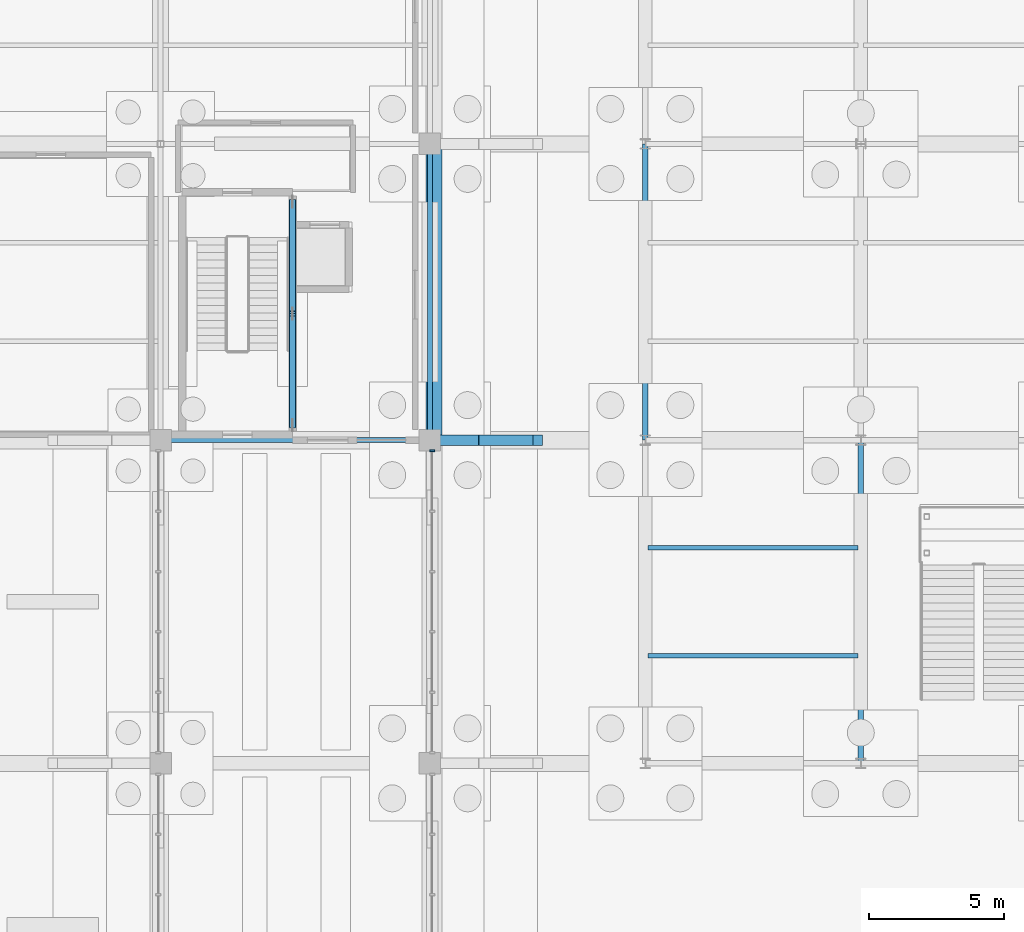
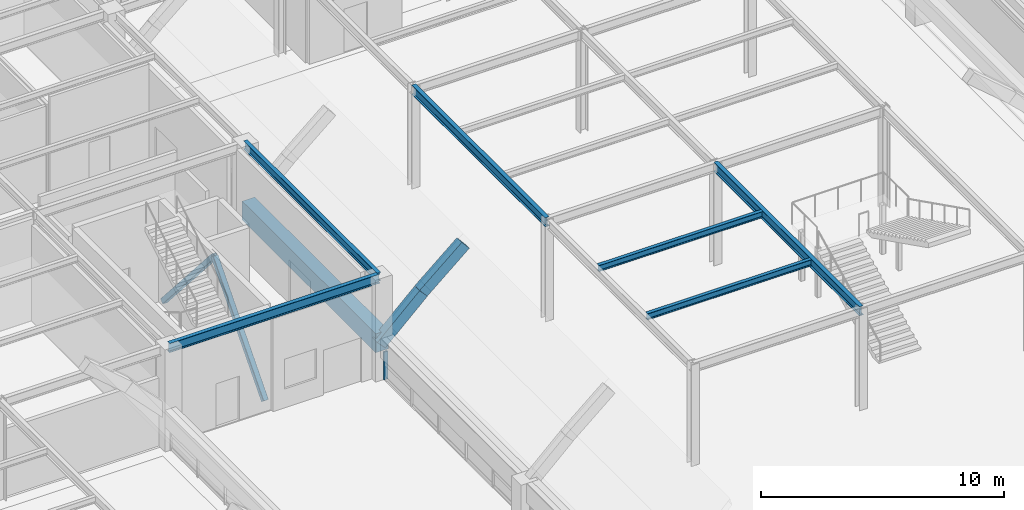
# One storey, part 55 of 129: 9 beams, 3 members, 1 element without a shape of its own.
"""IFC4 building model written with IfcOpenShell, lengths in metres."""

from ifc_helpers import new_model, si_unit, direction, frame, origin, origin_2d, place, context, subcontext, project, spatial, rectangle, hollow_rectangle, i_section, extrude, material, layer, layer_set, material_profile, profile_set, type_object, element, aggregate, save


model = new_model("IFC4")

# Units and contexts
model_context = context("Model", 3, precision=1e-05, world=origin(), true_north=direction((0.0, 1.0)))
body_context = subcontext(model_context, "Body", "Model", "MODEL_VIEW")
ifc_project = project(units=[si_unit("LENGTHUNIT", "METRE"), si_unit("AREAUNIT", "SQUARE_METRE"), si_unit("VOLUMEUNIT", "CUBIC_METRE"), si_unit("PLANEANGLEUNIT", "RADIAN"), si_unit("MASSUNIT", "GRAM", prefix="KILO")], contexts=[model_context])

# Site, building, storey
site_placement = place(None, origin())
site = spatial("IfcSite", under=ifc_project, at=site_placement, CompositionType="ELEMENT")
building_placement = place(site_placement, origin())
building = spatial("IfcBuilding", under=site, at=building_placement, Name="Sitalva Quay Ferry Terminal", CompositionType="ELEMENT")
storey_placement = place(building_placement, origin())
storey = spatial("IfcBuildingStorey", under=building, at=storey_placement, Name="L01", CompositionType="ELEMENT", Elevation=0.0)

# Beams
ifc_material_1 = material(Name="Concrete C40/50", Category="concrete")
ifc_material_profile_1 = material_profile(ifc_material_1, rectangle(XDim=0.39990234375, YDim=0.550048828125, at=origin_2d()), Name="RC400x550")
ifc_profile_set_1 = profile_set([ifc_material_profile_1], Name="Concrete C40/50")
beam_type_1 = type_object("IfcBeamType", Name="Beam_Arch_RC400x550", PredefinedType="BEAM", material=ifc_profile_set_1)
beam_1_placement = place(storey_placement, frame((42.0, 78.0, 1.6044921875), z_axis=(0.725680279623, 0.0, 0.688032071757), x_axis=(0.0, 1.0, 0.0)))
element("IfcBeam", 1, at=beam_1_placement, inside=storey, type_object=beam_type_1, Name="Vault V1 transverse arch rib 7.1", PredefinedType="BEAM", context=body_context, shape_type="SweptSolid", body=[
    extrude(rectangle(XDim=0.39990234375, YDim=0.550048828125, at=origin_2d()), origin(), (0.0, 0.0, 1.0), 2.756103515625),
])
beam_2_placement = place(storey_placement, frame((44.0, 78.0, 3.5107421875), z_axis=(0.760297282494, 0.0, 0.649575278342), x_axis=(0.0, 1.0, 0.0)))
element("IfcBeam", 2, at=beam_2_placement, inside=storey, type_object=beam_type_1, Name="Vault V1 transverse arch rib 7.2", PredefinedType="BEAM", context=body_context, shape_type="SweptSolid", body=[
    extrude(rectangle(XDim=0.39990234375, YDim=0.550048828125, at=origin_2d()), origin(), (0.0, 0.0, 1.0), 2.630615234375),
])
ifc_material_2 = material(Name="Concrete C40/50", Category="concrete")
ifc_material_profile_2 = material_profile(ifc_material_2, rectangle(XDim=0.60009765625, YDim=0.949951171875, at=origin_2d()), Name="RC600x950")
ifc_profile_set_2 = profile_set([ifc_material_profile_2], Name="Concrete C40/50")
beam_type_2 = type_object("IfcBeamType", Name="Beam_Edge_RC600x950", PredefinedType="BEAM", material=ifc_profile_set_2)
beam_3_placement = place(storey_placement, frame((42.14990234375, 78.0, 1.625), z_axis=(0.0, 1.0, 0.0), x_axis=(-1.0, 0.0, 0.0)))
element("IfcBeam", 3, at=beam_3_placement, inside=storey, type_object=beam_type_2, Name="Vault V1 longitudinal springing edge beam W bay 7", PredefinedType="BEAM", context=body_context, shape_type="SweptSolid", body=[
    extrude(rectangle(XDim=0.60009765625, YDim=0.949951171875, at=origin_2d()), origin(), (0.0, 0.0, 1.0), 11.0),
])
ifc_material_3 = material(Name="Structural Steel S355JR", Category="steel")
ifc_material_profile_3 = material_profile(ifc_material_3, i_section(OverallWidth=0.180908203125, OverallDepth=0.4169921875, WebThickness=0.010986328125, FlangeThickness=0.018310546875, FilletRadius=0.012939453125, at=origin_2d()), Name="W410x85")
ifc_profile_set_3 = profile_set([ifc_material_profile_3], Name="Structural Steel S355JR")
beam_type_3 = type_object("IfcBeamType", Name="Beam_W410x85", PredefinedType="BEAM", material=ifc_profile_set_3)
beam_4_placement = place(storey_placement, frame((42.0, 78.0, 4.91162109375), z_axis=(0.0, 1.0, 0.0), x_axis=(-1.0, 0.0, 0.0)))
element("IfcBeam", 4, at=beam_4_placement, inside=storey, type_object=beam_type_3, Name="L01 Primary Y girder 0474", PredefinedType="BEAM", context=body_context, shape_type="SweptSolid", body=[
    extrude(i_section(OverallWidth=0.180908203125, OverallDepth=0.4169921875, WebThickness=0.010986328125, FlangeThickness=0.018310546875, FilletRadius=0.012939453125, at=origin_2d()), origin(), (0.0, 0.0, 1.0), 11.0),
])
ifc_material_4 = material(Name="Structural Steel S355JR", Category="steel")
ifc_material_profile_4 = material_profile(ifc_material_4, i_section(OverallWidth=0.19091796875, OverallDepth=0.4599609375, WebThickness=0.010009765625, FlangeThickness=0.01611328125, FilletRadius=0.013916015625, at=origin_2d()), Name="W460x82")
ifc_profile_set_4 = profile_set([ifc_material_profile_4], Name="Structural Steel S355JR")
beam_type_4 = type_object("IfcBeamType", Name="Beam_W460x82", PredefinedType="BEAM", material=ifc_profile_set_4)
beam_5_placement = place(storey_placement, frame((32.0, 78.0, 4.889892578125), z_axis=(1.0, 0.0, 0.0), x_axis=(0.0, 1.0, 0.0)))
element("IfcBeam", 5, at=beam_5_placement, inside=storey, type_object=beam_type_4, Name="L01 Primary X girder 0458", PredefinedType="BEAM", context=body_context, shape_type="SweptSolid", body=[
    extrude(i_section(OverallWidth=0.19091796875, OverallDepth=0.4599609375, WebThickness=0.010009765625, FlangeThickness=0.01611328125, FilletRadius=0.013916015625, at=origin_2d()), origin(), (0.0, 0.0, 1.0), 10.0),
])

# Members
ifc_material_5 = material(Name="Structural Steel S355JR", Category="steel")
ifc_material_profile_5 = material_profile(ifc_material_5, hollow_rectangle(XDim=0.25, YDim=0.25, WallThickness=0.012451171875, InnerFilletRadius=0.012451171875, OuterFilletRadius=0.02490234375, at=origin_2d()), Name="SHS250x250x12.5")
ifc_profile_set_5 = profile_set([ifc_material_profile_5], Name="Structural Steel S355JR")
member_type_1 = type_object("IfcMemberType", Name="Brace_SHS250x12", PredefinedType="BRACE", material=ifc_profile_set_5)
member_1_placement = place(storey_placement, frame((36.89990234375, 78.550048828125, 0.14990234375), z_axis=(0.0, 0.657934438932, 0.753075211428), x_axis=(-1.0, 0.0, 0.0)))
element("IfcMember", 6, at=member_1_placement, inside=storey, type_object=member_type_1, Name="Braced frame BF1 L01 chevron A", PredefinedType="BRACE", context=body_context, shape_type="SweptSolid", body=[
    extrude(hollow_rectangle(XDim=0.25, YDim=0.25, WallThickness=0.012451171875, InnerFilletRadius=0.012451171875, OuterFilletRadius=0.02490234375, at=origin_2d()), origin(), (0.0, 0.0, 1.0), 6.307373046875),
])
member_2_placement = place(storey_placement, frame((36.89990234375, 82.699951171875, 4.89990234375), z_axis=(0.0, 0.657956389457, -0.753056033488), x_axis=(-1.0, 0.0, 0.0)))
element("IfcMember", 7, at=member_2_placement, inside=storey, type_object=member_type_1, Name="Braced frame BF1 L01 chevron B", PredefinedType="BRACE", context=body_context, shape_type="SweptSolid", body=[
    extrude(hollow_rectangle(XDim=0.25, YDim=0.25, WallThickness=0.012451171875, InnerFilletRadius=0.012451171875, OuterFilletRadius=0.02490234375, at=origin_2d()), origin(), (0.0, 0.0, 1.0), 6.3076171875),
])

# Beams
ifc_material_6 = material(Name="Structural Steel S355JR", Category="steel")
ifc_material_profile_6 = material_profile(ifc_material_6, i_section(OverallWidth=0.194091796875, OverallDepth=0.468994140625, WebThickness=0.0126953125, FlangeThickness=0.0205078125, FilletRadius=0.013916015625, at=origin_2d()), Name="W460x106")
ifc_profile_set_6 = profile_set([ifc_material_profile_6], Name="Structural Steel S355JR")
beam_type_5 = type_object("IfcBeamType", Name="Girder_W460x106", PredefinedType="USERDEFINED", material=ifc_profile_set_6)
beam_6_placement = place(storey_placement, frame((50.0, 78.0, 4.885498046875), z_axis=(0.0, 1.0, 0.0), x_axis=(-1.0, 0.0, 0.0)))
element("IfcBeam", 8, at=beam_6_placement, inside=storey, type_object=beam_type_5, Name="L01 Primary Y girder 0155", ObjectType="GIRDER", PredefinedType="USERDEFINED", context=body_context, shape_type="SweptSolid", body=[
    extrude(i_section(OverallWidth=0.194091796875, OverallDepth=0.468994140625, WebThickness=0.0126953125, FlangeThickness=0.0205078125, FilletRadius=0.013916015625, at=origin_2d()), origin(), (0.0, 0.0, 1.0), 11.0),
])
beam_7_placement = place(storey_placement, frame((58.0, 66.0, 4.885498046875), z_axis=(0.0, 1.0, 0.0), x_axis=(-1.0, 0.0, 0.0)))
element("IfcBeam", 9, at=beam_7_placement, inside=storey, type_object=beam_type_5, Name="L01 Primary Y girder 0157", ObjectType="GIRDER", PredefinedType="USERDEFINED", context=body_context, shape_type="SweptSolid", body=[
    extrude(i_section(OverallWidth=0.194091796875, OverallDepth=0.468994140625, WebThickness=0.0126953125, FlangeThickness=0.0205078125, FilletRadius=0.013916015625, at=origin_2d()), origin(), (0.0, 0.0, 1.0), 12.0),
])
ifc_material_7 = material(Name="Structural Steel S355JR", Category="steel")
ifc_material_profile_7 = material_profile(ifc_material_7, i_section(OverallWidth=0.166015625, OverallDepth=0.31298828125, WebThickness=0.006591796875, FlangeThickness=0.01123046875, FilletRadius=0.010986328125, at=origin_2d()), Name="W310x45")
ifc_profile_set_7 = profile_set([ifc_material_profile_7], Name="Structural Steel S355JR")
beam_type_6 = type_object("IfcBeamType", Name="Joist_W310x45", PredefinedType="JOIST", material=ifc_profile_set_7)
for number, where, z_axis, x_axis, name in (
    (10, (50.096923828125, 70.0, 4.96337890625), (1.0, 0.0, 0.0), (0.0, 1.0, 0.0), "L01 Secondary joist 0163"),
    (11, (50.096923828125, 74.0, 4.96337890625), (1.0, 0.0, 0.0), (0.0, 1.0, 0.0), "L01 Secondary joist 0164"),
):
    element("IfcBeam", number, at=place(storey_placement, frame(where, z_axis=z_axis, x_axis=x_axis)), inside=storey, type_object=beam_type_6, Name=name, PredefinedType="JOIST", context=body_context, shape_type="SweptSolid", body=[
        extrude(i_section(OverallWidth=0.166015625, OverallDepth=0.31298828125, WebThickness=0.006591796875, FlangeThickness=0.01123046875, FilletRadius=0.010986328125, at=origin_2d()), origin(), (0.0, 0.0, 1.0), 7.80615234375),
    ])

# Curtain wall, member
ifc_material_8 = material(Name="Anodised Aluminium & Low-E Glazing", Category="aluminium")
ifc_layer = layer(ifc_material_8, 0.159912109375)
ifc_layer_set = layer_set([ifc_layer], Name="Anodised Aluminium & Low-E Glazing")
curtain_wall_type = type_object("IfcCurtainWallType", Name="CW_VaultArch_Glazed", PredefinedType="USERDEFINED", material=ifc_layer_set)
curtain_wall_placement = place(storey_placement, origin())
curtain_wall = element("IfcCurtainWall", 12, at=curtain_wall_placement, inside=storey, type_object=curtain_wall_type, Name="V1-W shallow-arch base glazing (CW-L01-029)", ObjectType="CURTAIN_WALL", PredefinedType="USERDEFINED")
ifc_material_9 = material(Name="Anodised Aluminium 6063-T6", Category="aluminium")
ifc_material_profile_8 = material_profile(ifc_material_9, rectangle(XDim=0.070068359375, YDim=0.181884765625, at=origin_2d()), Name="ALU70x182")
ifc_profile_set_8 = profile_set([ifc_material_profile_8], Name="Anodised Aluminium 6063-T6")
member_type_2 = type_object("IfcMemberType", Name="Mullion_Alu_65x170", PredefinedType="MULLION", material=ifc_profile_set_8)
member_3_placement = place(storey_placement, frame((42.080078125, 77.60009765625, 0.0), z_axis=(0.0, 0.0, 1.0), x_axis=(0.0, 1.0, 0.0)))
member_3 = element("IfcMember", 13, at=member_3_placement, type_object=member_type_2, Name="CW-L01-029-M5", PredefinedType="MULLION", context=body_context, shape_type="SweptSolid", body=[
    extrude(rectangle(XDim=0.070068359375, YDim=0.181884765625, at=origin_2d()), origin(), (0.0, 0.0, 1.0), 1.39990234375),
])
aggregate(curtain_wall, [member_3])

save(model, "model.ifc")
